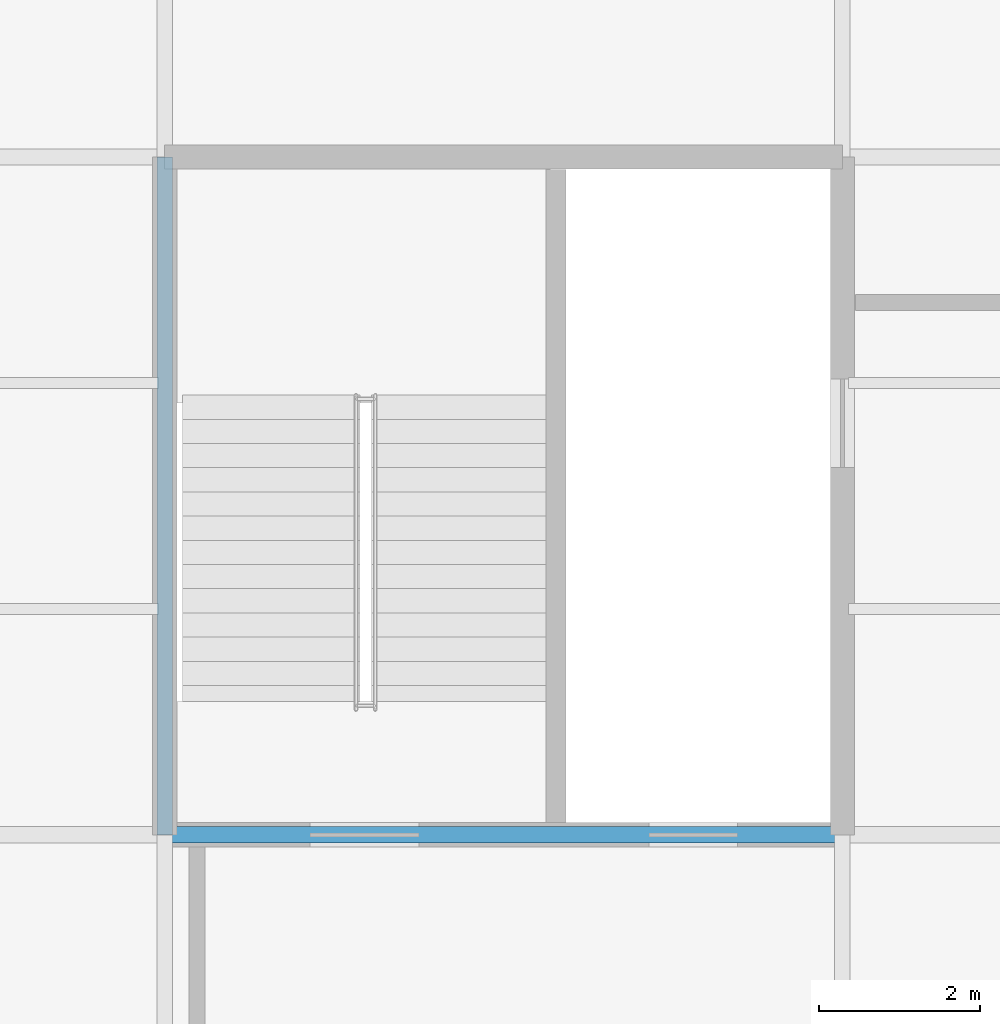
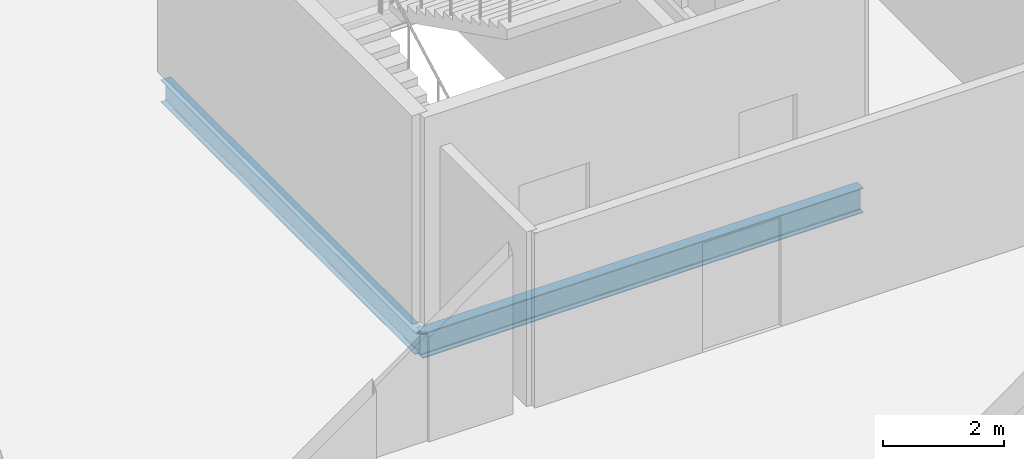
# One storey, part 17 of 69: 2 beams.
"""IFC4 building model written with IfcOpenShell, lengths in metres."""

from ifc_helpers import new_model, si_unit, direction, frame, origin, origin_2d, place, context, subcontext, project, spatial, i_section, extrude, material, material_profile, profile_set, type_object, element, save


model = new_model("IFC4")

# Units and contexts
model_context = context("Model", 3, precision=1e-05, world=origin(), true_north=direction((0.0, 1.0)))
body_context = subcontext(model_context, "Body", "Model", "MODEL_VIEW")
ifc_project = project(units=[si_unit("LENGTHUNIT", "METRE"), si_unit("AREAUNIT", "SQUARE_METRE"), si_unit("VOLUMEUNIT", "CUBIC_METRE"), si_unit("PLANEANGLEUNIT", "RADIAN"), si_unit("MASSUNIT", "GRAM", prefix="KILO")], contexts=[model_context])

# Site, building, storey
site_placement = place(None, origin())
site = spatial("IfcSite", under=ifc_project, at=site_placement, CompositionType="ELEMENT")
building_placement = place(site_placement, origin())
building = spatial("IfcBuilding", under=site, at=building_placement, Name="Qalvenar Corner Mobility Hub", CompositionType="ELEMENT")
storey_placement = place(building_placement, frame((0.0, 0.0, 13.199951171875)))
storey = spatial("IfcBuildingStorey", under=building, at=storey_placement, Name="L03", CompositionType="ELEMENT", Elevation=13.199951171875)

# Beams
ifc_material = material(Name="Steel S355", Category="steel")
ifc_material_profile_1 = material_profile(ifc_material, i_section(OverallWidth=0.18994140625, OverallDepth=0.449951171875, WebThickness=0.009521484375, FlangeThickness=0.0146484375, FilletRadius=0.02099609375, at=origin_2d()), Name="IPE450")
ifc_profile_set_1 = profile_set([ifc_material_profile_1], Name="Steel S355")
beam_type_1 = type_object("IfcBeamType", Name="BM-IPE450", PredefinedType="BEAM", material=ifc_profile_set_1)
beam_1_placement = place(storey_placement, frame((8.39990234375, 8.39990234375, -0.405029296875), z_axis=(0.0, 1.0, 0.0), x_axis=(-1.0, 0.0, 0.0)))
element("IfcBeam", 1, at=beam_1_placement, inside=storey, type_object=beam_type_1, Name="Primary Steel Girder GY-2230", PredefinedType="BEAM", context=body_context, shape_type="SweptSolid", body=[
    extrude(i_section(OverallWidth=0.18994140625, OverallDepth=0.449951171875, WebThickness=0.009521484375, FlangeThickness=0.0146484375, FilletRadius=0.02099609375, at=origin_2d()), origin(), (0.0, 0.0, 1.0), 8.400146484375),
])
ifc_material_profile_2 = material_profile(ifc_material, i_section(OverallWidth=0.199951171875, OverallDepth=0.5, WebThickness=0.01025390625, FlangeThickness=0.01611328125, FilletRadius=0.02099609375, at=origin_2d()), Name="IPE500")
ifc_profile_set_2 = profile_set([ifc_material_profile_2], Name="Steel S355")
beam_type_2 = type_object("IfcBeamType", Name="BM-IPE500", PredefinedType="BEAM", material=ifc_profile_set_2)
beam_2_placement = place(storey_placement, frame((8.39990234375, 8.39990234375, -0.429931640625), z_axis=(1.0, 0.0, 0.0), x_axis=(0.0, 1.0, 0.0)))
element("IfcBeam", 2, at=beam_2_placement, inside=storey, type_object=beam_type_2, Name="Primary Steel Girder GX-2195", PredefinedType="BEAM", context=body_context, shape_type="SweptSolid", body=[
    extrude(i_section(OverallWidth=0.199951171875, OverallDepth=0.5, WebThickness=0.01025390625, FlangeThickness=0.01611328125, FilletRadius=0.02099609375, at=origin_2d()), origin(), (0.0, 0.0, 1.0), 8.400146484375),
])

save(model, "model.ifc")
